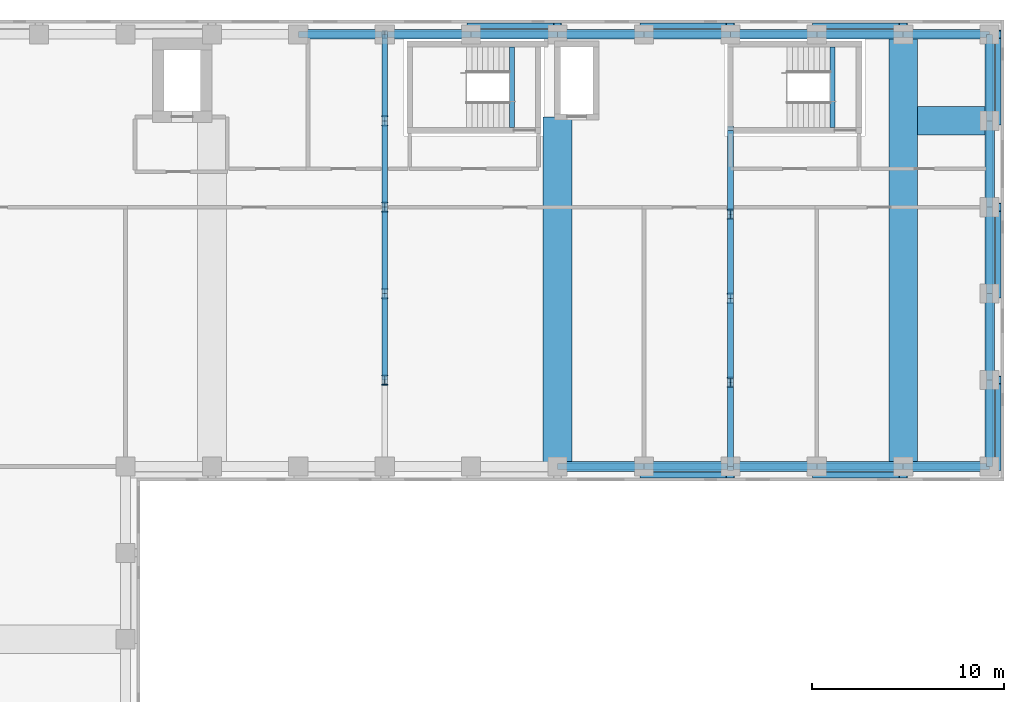
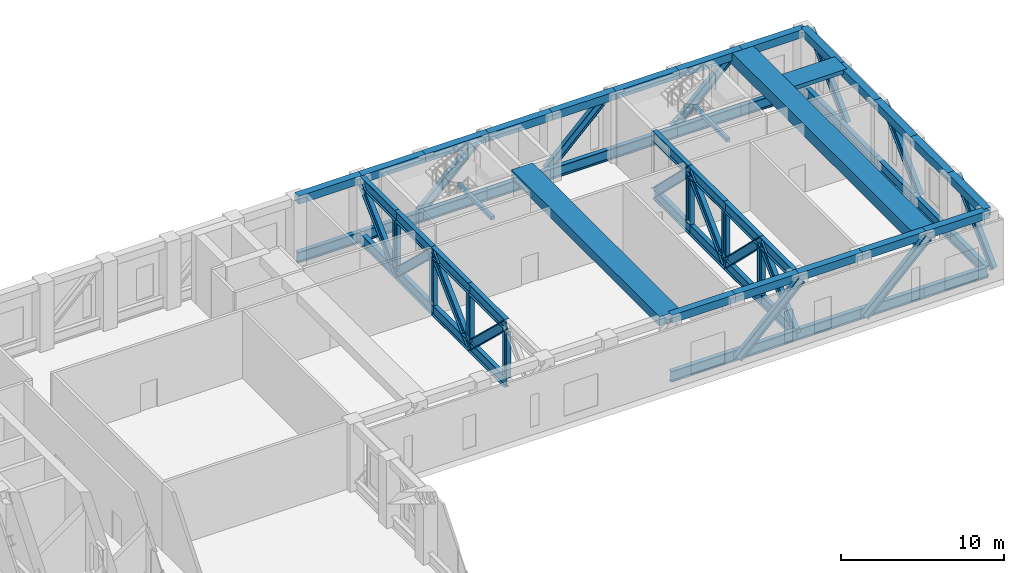
# One storey, part 3 of 14: 57 members, 23 beams.
"""IFC4 building model written with IfcOpenShell, lengths in metres."""

from ifc_helpers import new_model, si_unit, direction, frame, origin, origin_2d, place, context, subcontext, project, spatial, rectangle, i_section, extrude, material, material_profile, profile_set, type_object, element, save


model = new_model("IFC4")

# Units and contexts
model_context = context("Model", 3, precision=1e-05, world=origin(), true_north=direction((0.0, 1.0)))
body_context = subcontext(model_context, "Body", "Model", "MODEL_VIEW")
ifc_project = project(units=[si_unit("LENGTHUNIT", "METRE"), si_unit("AREAUNIT", "SQUARE_METRE"), si_unit("VOLUMEUNIT", "CUBIC_METRE"), si_unit("PLANEANGLEUNIT", "RADIAN"), si_unit("MASSUNIT", "GRAM", prefix="KILO")], contexts=[model_context])

# Site, building, storey
site_placement = place(None, origin())
site = spatial("IfcSite", under=ifc_project, at=site_placement, CompositionType="ELEMENT")
building_placement = place(site_placement, origin())
building = spatial("IfcBuilding", under=site, at=building_placement, Name="Firuza Court", CompositionType="ELEMENT")
storey_placement = place(building_placement, frame((0.0, 0.0, 173.60009765625)))
storey = spatial("IfcBuildingStorey", under=building, at=storey_placement, Name="L44", CompositionType="ELEMENT", Elevation=173.60009765625)

# Beams
ifc_material_1 = material(Name="Concrete C40/50", Category="concrete")
ifc_material_profile_1 = material_profile(ifc_material_1, rectangle(XDim=1.5, YDim=0.300048828125, at=origin_2d()), Name="RC 1500x300")
ifc_profile_set_1 = profile_set([ifc_material_profile_1], Name="Concrete C40/50")
beam_type_1 = type_object("IfcBeamType", Name="Band beam RC 1500x300 C40/50", PredefinedType="BEAM", material=ifc_profile_set_1)
beam_1_placement = place(storey_placement, frame((67.5, 54.0, 4.949951171875), z_axis=(-1.0, 0.0, 0.0), x_axis=(0.0, -1.0, 0.0)))
element("IfcBeam", 1, at=beam_1_placement, inside=storey, type_object=beam_type_1, Name="Band beam FB6 level L45", PredefinedType="BEAM", context=body_context, shape_type="SweptSolid", body=[
    extrude(rectangle(XDim=1.5, YDim=0.300048828125, at=origin_2d()), origin(), (0.0, 0.0, 1.0), 3.75),
])
ifc_material_2 = material(Name="Concrete C40/50", Category="concrete")
ifc_material_profile_2 = material_profile(ifc_material_2, rectangle(XDim=1.5, YDim=0.699951171875, at=origin_2d()), Name="RC 1500x700")
ifc_profile_set_2 = profile_set([ifc_material_profile_2], Name="Concrete C40/50")
beam_type_2 = type_object("IfcBeamType", Name="Band beam RC 1500x700 C40/50", PredefinedType="BEAM", material=ifc_profile_set_2)
beam_2_placement = place(storey_placement, frame((45.0, 36.0, 4.75), z_axis=(0.0, 1.0, 0.0), x_axis=(-1.0, 0.0, 0.0)))
element("IfcBeam", 2, at=beam_2_placement, inside=storey, type_object=beam_type_2, Name="Band beam FB1 level L45", PredefinedType="BEAM", context=body_context, shape_type="SweptSolid", body=[
    extrude(rectangle(XDim=1.5, YDim=0.699951171875, at=origin_2d()), origin(), (0.0, 0.0, 1.0), 18.199951171875),
])
ifc_material_3 = material(Name="Concrete C40/50", Category="concrete")
ifc_material_profile_3 = material_profile(ifc_material_3, rectangle(XDim=1.5, YDim=0.89990234375, at=origin_2d()), Name="RC 1500x900")
ifc_profile_set_3 = profile_set([ifc_material_profile_3], Name="Concrete C40/50")
beam_type_3 = type_object("IfcBeamType", Name="Band beam RC 1500x900 C40/50", PredefinedType="BEAM", material=ifc_profile_set_3)
beam_3_placement = place(storey_placement, frame((63.0, 36.0, 4.64990234375), z_axis=(0.0, 1.0, 0.0), x_axis=(-1.0, 0.0, 0.0)))
element("IfcBeam", 3, at=beam_3_placement, inside=storey, type_object=beam_type_3, Name="Band beam FB2 level L45", PredefinedType="BEAM", context=body_context, shape_type="SweptSolid", body=[
    extrude(rectangle(XDim=1.5, YDim=0.89990234375, at=origin_2d()), origin(), (0.0, 0.0, 1.0), 22.5),
])

# Members
ifc_material_4 = material(Name="Steel S460M", Category="steel")
ifc_material_profile_4 = material_profile(ifc_material_4, i_section(OverallWidth=0.302978515625, OverallDepth=0.81396484375, WebThickness=0.02099609375, FlangeThickness=0.0400390625, FilletRadius=0.030029296875, at=origin_2d()), Name="HE 800 M")
ifc_profile_set_4 = profile_set([ifc_material_profile_4], Name="Steel S460M")
member_type_1 = type_object("IfcMemberType", Name="Belt truss chord HE 800 M S460M", PredefinedType="CHORD", material=ifc_profile_set_4)
for number, where, z_axis, x_axis, name in (
    (4, (45.0, 36.0, 0.406982421875), (1.0, 0.0, 0.0), (0.0, 1.0, 0.0), "Belt truss chord BC1 L44"),
    (5, (49.5, 36.0, 0.406982421875), (1.0, 0.0, 0.0), (0.0, 1.0, 0.0), "Belt truss chord BC1 L44"),
    (6, (54.0, 36.0, 0.406982421875), (1.0, 0.0, 0.0), (0.0, 1.0, 0.0), "Belt truss chord BC1 L44"),
    (7, (58.5, 36.0, 0.406982421875), (1.0, 0.0, 0.0), (0.0, 1.0, 0.0), "Belt truss chord BC1 L44"),
    (8, (63.0, 36.0, 0.406982421875), (1.0, 0.0, 0.0), (0.0, 1.0, 0.0), "Belt truss chord BC1 L44"),
    (9, (67.5, 36.0, 0.406982421875), (0.0, 1.0, 0.0), (-1.0, 0.0, 0.0), "Belt truss chord BC1 L44"),
    (10, (67.5, 40.5, 0.406982421875), (0.0, 1.0, 0.0), (-1.0, 0.0, 0.0), "Belt truss chord BC1 L44"),
    (11, (67.5, 45.0, 0.406982421875), (0.0, 1.0, 0.0), (-1.0, 0.0, 0.0), "Belt truss chord BC1 L44"),
    (12, (67.5, 49.5, 0.406982421875), (0.0, 1.0, 0.0), (-1.0, 0.0, 0.0), "Belt truss chord BC1 L44"),
    (13, (67.5, 54.0, 0.406982421875), (0.0, 1.0, 0.0), (-1.0, 0.0, 0.0), "Belt truss chord BC1 L44"),
    (14, (67.5, 58.5, 0.406982421875), (-1.0, 0.0, 0.0), (0.0, -1.0, 0.0), "Belt truss chord BC1 L44"),
    (15, (63.0, 58.5, 0.406982421875), (-1.0, 0.0, 0.0), (0.0, -1.0, 0.0), "Belt truss chord BC1 L44"),
    (16, (58.5, 58.5, 0.406982421875), (-1.0, 0.0, 0.0), (0.0, -1.0, 0.0), "Belt truss chord BC1 L44"),
    (17, (54.0, 58.5, 0.406982421875), (-1.0, 0.0, 0.0), (0.0, -1.0, 0.0), "Belt truss chord BC1 L44"),
    (18, (49.5, 58.5, 0.406982421875), (-1.0, 0.0, 0.0), (0.0, -1.0, 0.0), "Belt truss chord BC1 L44"),
    (19, (45.0, 58.5, 0.406982421875), (-1.0, 0.0, 0.0), (0.0, -1.0, 0.0), "Belt truss chord BC1 L44"),
    (20, (40.5, 58.5, 0.406982421875), (-1.0, 0.0, 0.0), (0.0, -1.0, 0.0), "Belt truss chord BC1 L44"),
    (21, (36.0, 58.5, 0.406982421875), (-1.0, 0.0, 0.0), (0.0, -1.0, 0.0), "Belt truss chord BC1 L44"),
    (22, (36.0, 40.5, 0.406982421875), (0.0, 1.0, 0.0), (-1.0, 0.0, 0.0), "Belt truss chord BC1 L44"),
    (23, (36.0, 40.5, 4.69287109375), (0.0, 1.0, 0.0), (-1.0, 0.0, 0.0), "Belt truss chord BC1 L44"),
    (24, (36.0, 45.0, 0.406982421875), (0.0, 1.0, 0.0), (-1.0, 0.0, 0.0), "Belt truss chord BC1 L44"),
    (25, (36.0, 45.0, 4.69287109375), (0.0, 1.0, 0.0), (-1.0, 0.0, 0.0), "Belt truss chord BC1 L44"),
    (26, (36.0, 49.5, 0.406982421875), (0.0, 1.0, 0.0), (-1.0, 0.0, 0.0), "Belt truss chord BC1 L44"),
    (27, (36.0, 49.5, 4.69287109375), (0.0, 1.0, 0.0), (-1.0, 0.0, 0.0), "Belt truss chord BC1 L44"),
    (28, (36.0, 54.0, 0.406982421875), (0.0, 1.0, 0.0), (-1.0, 0.0, 0.0), "Belt truss chord BC1 L44"),
    (29, (36.0, 54.0, 4.69287109375), (0.0, 1.0, 0.0), (-1.0, 0.0, 0.0), "Belt truss chord BC1 L44"),
):
    element("IfcMember", number, at=place(storey_placement, frame(where, z_axis=z_axis, x_axis=x_axis)), inside=storey, type_object=member_type_1, Name=name, PredefinedType="CHORD", context=body_context, shape_type="SweptSolid", body=[
        extrude(i_section(OverallWidth=0.302978515625, OverallDepth=0.81396484375, WebThickness=0.02099609375, FlangeThickness=0.0400390625, FilletRadius=0.030029296875, at=origin_2d()), origin(), (0.0, 0.0, 1.0), 4.5),
    ])
for number, where, z_axis, x_axis, name in (
    (30, (54.0, 36.0, 0.406982421875), (0.0, 1.0, 0.0), (-1.0, 0.0, 0.0), "Belt truss chord BC1 L44"),
    (31, (54.0, 36.0, 4.69287109375), (0.0, 1.0, 0.0), (-1.0, 0.0, 0.0), "Belt truss chord BC1 L44"),
    (32, (54.0, 40.375, 0.406982421875), (0.0, 1.0, 0.0), (-1.0, 0.0, 0.0), "Belt truss chord BC1 L44"),
    (33, (54.0, 40.375, 4.69287109375), (0.0, 1.0, 0.0), (-1.0, 0.0, 0.0), "Belt truss chord BC1 L44"),
    (34, (54.0, 44.75, 0.406982421875), (0.0, 1.0, 0.0), (-1.0, 0.0, 0.0), "Belt truss chord BC1 L44"),
    (35, (54.0, 44.75, 4.69287109375), (0.0, 1.0, 0.0), (-1.0, 0.0, 0.0), "Belt truss chord BC1 L44"),
    (36, (54.0, 49.125, 0.406982421875), (0.0, 1.0, 0.0), (-1.0, 0.0, 0.0), "Belt truss chord BC1 L44"),
    (37, (54.0, 49.125, 4.69287109375), (0.0, 1.0, 0.0), (-1.0, 0.0, 0.0), "Belt truss chord BC1 L44"),
):
    element("IfcMember", number, at=place(storey_placement, frame(where, z_axis=z_axis, x_axis=x_axis)), inside=storey, type_object=member_type_1, Name=name, PredefinedType="CHORD", context=body_context, shape_type="SweptSolid", body=[
        extrude(i_section(OverallWidth=0.302978515625, OverallDepth=0.81396484375, WebThickness=0.02099609375, FlangeThickness=0.0400390625, FilletRadius=0.030029296875, at=origin_2d()), origin(), (0.0, 0.0, 1.0), 4.375),
    ])
ifc_material_5 = material(Name="Steel S460M", Category="steel")
ifc_material_profile_5 = material_profile(ifc_material_5, i_section(OverallWidth=0.304931640625, OverallDepth=0.6201171875, WebThickness=0.02099609375, FlangeThickness=0.0400390625, FilletRadius=0.027099609375, at=origin_2d()), Name="HE 600 M")
ifc_profile_set_5 = profile_set([ifc_material_profile_5], Name="Steel S460M")
member_type_2 = type_object("IfcMemberType", Name="Belt truss diagonal HE 600 M S460M", PredefinedType="BRACE", material=ifc_profile_set_5)
for number, where, z_axis, x_axis, name in (
    (38, (49.5, 35.550048828125, 0.406982421875), (0.715576978108, 0.0, 0.698533884934), (0.0, 1.0, 0.0), "Belt truss diagonal BD1 L44"),
    (39, (58.5, 35.550048828125, 0.406982421875), (0.715576978108, 0.0, 0.698533884934), (0.0, 1.0, 0.0), "Belt truss diagonal BD1 L44"),
    (40, (67.949951171875, 36.0, 0.406982421875), (0.0, 0.715576978108, 0.698533884934), (-1.0, 0.0, 0.0), "Belt truss diagonal BD1 L44"),
    (41, (67.949951171875, 45.0, 0.406982421875), (0.0, 0.715576978108, 0.698533884934), (-1.0, 0.0, 0.0), "Belt truss diagonal BD1 L44"),
    (42, (67.949951171875, 54.0, 0.406982421875), (0.0, 0.715576978108, 0.698533884934), (-1.0, 0.0, 0.0), "Belt truss diagonal BD1 L44"),
    (43, (58.5, 58.949951171875, 0.406982421875), (0.715576978108, 0.0, 0.698533884934), (0.0, 1.0, 0.0), "Belt truss diagonal BD1 L44"),
    (44, (49.5, 58.949951171875, 0.406982421875), (0.715576978108, 0.0, 0.698533884934), (0.0, 1.0, 0.0), "Belt truss diagonal BD1 L44"),
    (45, (40.5, 58.949951171875, 0.406982421875), (0.715576978108, 0.0, 0.698533884934), (0.0, 1.0, 0.0), "Belt truss diagonal BD1 L44"),
):
    element("IfcMember", number, at=place(storey_placement, frame(where, z_axis=z_axis, x_axis=x_axis)), inside=storey, type_object=member_type_2, Name=name, PredefinedType="BRACE", context=body_context, shape_type="SweptSolid", body=[
        extrude(i_section(OverallWidth=0.304931640625, OverallDepth=0.6201171875, WebThickness=0.02099609375, FlangeThickness=0.0400390625, FilletRadius=0.027099609375, at=origin_2d()), origin(), (0.0, 0.0, 1.0), 6.28857421875),
    ])
for number, where, z_axis, x_axis, name in (
    (46, (36.0, 45.0, 0.406982421875), (0.0, -0.72412391677, 0.689669887093), (1.0, 0.0, 0.0), "Belt truss diagonal BD1 L44"),
    (47, (36.0, 45.0, 0.406982421875), (0.0, 0.72412391677, 0.689669887093), (-1.0, 0.0, 0.0), "Belt truss diagonal BD1 L44"),
    (48, (36.0, 54.0, 0.406982421875), (0.0, -0.72412391677, 0.689669887093), (1.0, 0.0, 0.0), "Belt truss diagonal BD1 L44"),
    (49, (36.0, 54.0, 0.406982421875), (0.0, 0.72412391677, 0.689669887093), (-1.0, 0.0, 0.0), "Belt truss diagonal BD1 L44"),
):
    element("IfcMember", number, at=place(storey_placement, frame(where, z_axis=z_axis, x_axis=x_axis)), inside=storey, type_object=member_type_2, Name=name, PredefinedType="BRACE", context=body_context, shape_type="SweptSolid", body=[
        extrude(i_section(OverallWidth=0.304931640625, OverallDepth=0.6201171875, WebThickness=0.02099609375, FlangeThickness=0.0400390625, FilletRadius=0.027099609375, at=origin_2d()), origin(), (0.0, 0.0, 1.0), 6.21435546875),
    ])
for number, where, z_axis, x_axis, name in (
    (50, (54.0, 36.0, 0.406982421875), (0.0, 0.71434434748, 0.699794364956), (-1.0, 0.0, 0.0), "Belt truss diagonal BD1 L44"),
    (51, (54.0, 44.75, 0.406982421875), (0.0, -0.71434434748, 0.699794364956), (1.0, 0.0, 0.0), "Belt truss diagonal BD1 L44"),
    (52, (54.0, 44.75, 0.406982421875), (0.0, 0.71434434748, 0.699794364956), (-1.0, 0.0, 0.0), "Belt truss diagonal BD1 L44"),
    (53, (54.0, 53.5, 0.406982421875), (0.0, -0.71434434748, 0.699794364956), (1.0, 0.0, 0.0), "Belt truss diagonal BD1 L44"),
):
    element("IfcMember", number, at=place(storey_placement, frame(where, z_axis=z_axis, x_axis=x_axis)), inside=storey, type_object=member_type_2, Name=name, PredefinedType="BRACE", context=body_context, shape_type="SweptSolid", body=[
        extrude(i_section(OverallWidth=0.304931640625, OverallDepth=0.6201171875, WebThickness=0.02099609375, FlangeThickness=0.0400390625, FilletRadius=0.027099609375, at=origin_2d()), origin(), (0.0, 0.0, 1.0), 6.12451171875),
    ])
ifc_material_6 = material(Name="Steel S460M", Category="steel")
ifc_material_profile_6 = material_profile(ifc_material_6, i_section(OverallWidth=0.305908203125, OverallDepth=0.52392578125, WebThickness=0.02099609375, FlangeThickness=0.0400390625, FilletRadius=0.027099609375, at=origin_2d()), Name="HE 500 M")
ifc_profile_set_6 = profile_set([ifc_material_profile_6], Name="Steel S460M")
member_type_3 = type_object("IfcMemberType", Name="Belt truss post HE 500 M S460M", PredefinedType="POST", material=ifc_profile_set_6)
for number, where, z_axis, x_axis, name in (
    (54, (36.0, 40.5, 0.81396484375), (0.0, 0.0, 1.0), (1.0, 0.0, 0.0), "Belt truss post BP1 L44"),
    (55, (36.0, 45.0, 0.81396484375), (0.0, 0.0, 1.0), (1.0, 0.0, 0.0), "Belt truss post BP1 L44"),
    (56, (36.0, 49.5, 0.81396484375), (0.0, 0.0, 1.0), (1.0, 0.0, 0.0), "Belt truss post BP1 L44"),
    (57, (36.0, 54.0, 0.81396484375), (0.0, 0.0, 1.0), (1.0, 0.0, 0.0), "Belt truss post BP1 L44"),
    (58, (54.0, 40.375, 0.81396484375), (0.0, 0.0, 1.0), (1.0, 0.0, 0.0), "Belt truss post BP1 L44"),
    (59, (54.0, 44.75, 0.81396484375), (0.0, 0.0, 1.0), (1.0, 0.0, 0.0), "Belt truss post BP1 L44"),
    (60, (54.0, 49.125, 0.81396484375), (0.0, 0.0, 1.0), (1.0, 0.0, 0.0), "Belt truss post BP1 L44"),
):
    element("IfcMember", number, at=place(storey_placement, frame(where, z_axis=z_axis, x_axis=x_axis)), inside=storey, type_object=member_type_3, Name=name, PredefinedType="POST", context=body_context, shape_type="SweptSolid", body=[
        extrude(i_section(OverallWidth=0.305908203125, OverallDepth=0.52392578125, WebThickness=0.02099609375, FlangeThickness=0.0400390625, FilletRadius=0.027099609375, at=origin_2d()), origin(), (0.0, 0.0, 1.0), 3.471923828125),
    ])

# Beams
ifc_material_7 = material(Name="Concrete C40/50", Category="concrete")
ifc_material_profile_7 = material_profile(ifc_material_7, rectangle(XDim=0.25, YDim=0.25, at=origin_2d()), Name="RC 250x250")
ifc_profile_set_7 = profile_set([ifc_material_profile_7], Name="Concrete C40/50")
beam_type_4 = type_object("IfcBeamType", Name="Landing beam RC 250x250 C40/50", PredefinedType="BEAM", material=ifc_profile_set_7)
for number, where, z_axis, x_axis, name in (
    (61, (42.625, 53.64990234375, 2.375), (0.0, 1.0, 0.0), (-1.0, 0.0, 0.0), "Landing beam S1 L44"),
    (62, (59.324951171875, 53.64990234375, 2.375), (0.0, 1.0, 0.0), (-1.0, 0.0, 0.0), "Landing beam S4 L44"),
):
    element("IfcBeam", number, at=place(storey_placement, frame(where, z_axis=z_axis, x_axis=x_axis)), inside=storey, type_object=beam_type_4, Name=name, PredefinedType="BEAM", context=body_context, shape_type="SweptSolid", body=[
        extrude(rectangle(XDim=0.25, YDim=0.25, at=origin_2d()), origin(), (0.0, 0.0, 1.0), 4.2001953125),
    ])
ifc_material_8 = material(Name="Concrete C40/50", Category="concrete")
ifc_material_profile_8 = material_profile(ifc_material_8, rectangle(XDim=0.5, YDim=0.60009765625, at=origin_2d()), Name="RC 500x600")
ifc_profile_set_8 = profile_set([ifc_material_profile_8], Name="Concrete C40/50")
beam_type_5 = type_object("IfcBeamType", Name="Spandrel beam RC 500x600 C40/50", PredefinedType="BEAM", material=ifc_profile_set_8)
for number, where, z_axis, x_axis, name in (
    (63, (36.0, 58.5, 4.7998046875), (-1.0, 0.0, 0.0), (0.0, -1.0, 0.0), "Spandrel beam SP13 level L45"),
    (64, (40.5, 58.5, 4.7998046875), (-1.0, 0.0, 0.0), (0.0, -1.0, 0.0), "Spandrel beam SP13 level L45"),
    (65, (45.0, 36.0, 4.7998046875), (1.0, 0.0, 0.0), (0.0, 1.0, 0.0), "Spandrel beam SP13 level L45"),
    (66, (45.0, 58.5, 4.7998046875), (-1.0, 0.0, 0.0), (0.0, -1.0, 0.0), "Spandrel beam SP13 level L45"),
    (67, (49.5, 36.0, 4.7998046875), (1.0, 0.0, 0.0), (0.0, 1.0, 0.0), "Spandrel beam SP13 level L45"),
    (68, (49.5, 58.5, 4.7998046875), (-1.0, 0.0, 0.0), (0.0, -1.0, 0.0), "Spandrel beam SP13 level L45"),
    (69, (54.0, 36.0, 4.7998046875), (1.0, 0.0, 0.0), (0.0, 1.0, 0.0), "Spandrel beam SP13 level L45"),
    (70, (54.0, 58.5, 4.7998046875), (-1.0, 0.0, 0.0), (0.0, -1.0, 0.0), "Spandrel beam SP13 level L45"),
    (71, (58.5, 36.0, 4.7998046875), (1.0, 0.0, 0.0), (0.0, 1.0, 0.0), "Spandrel beam SP13 level L45"),
    (72, (58.5, 58.5, 4.7998046875), (-1.0, 0.0, 0.0), (0.0, -1.0, 0.0), "Spandrel beam SP13 level L45"),
    (73, (63.0, 36.0, 4.7998046875), (1.0, 0.0, 0.0), (0.0, 1.0, 0.0), "Spandrel beam SP13 level L45"),
    (74, (63.0, 58.5, 4.7998046875), (-1.0, 0.0, 0.0), (0.0, -1.0, 0.0), "Spandrel beam SP13 level L45"),
    (75, (67.5, 36.0, 4.7998046875), (0.0, 1.0, 0.0), (-1.0, 0.0, 0.0), "Spandrel beam SP13 level L45"),
    (76, (67.5, 40.5, 4.7998046875), (0.0, 1.0, 0.0), (-1.0, 0.0, 0.0), "Spandrel beam SP13 level L45"),
    (77, (67.5, 45.0, 4.7998046875), (0.0, 1.0, 0.0), (-1.0, 0.0, 0.0), "Spandrel beam SP13 level L45"),
    (78, (67.5, 49.5, 4.7998046875), (0.0, 1.0, 0.0), (-1.0, 0.0, 0.0), "Spandrel beam SP13 level L45"),
    (79, (67.5, 54.0, 4.7998046875), (0.0, 1.0, 0.0), (-1.0, 0.0, 0.0), "Spandrel beam SP13 level L45"),
    (80, (67.5, 58.5, 4.7998046875), (-1.0, 0.0, 0.0), (0.0, -1.0, 0.0), "Spandrel beam SP13 level L45"),
):
    element("IfcBeam", number, at=place(storey_placement, frame(where, z_axis=z_axis, x_axis=x_axis)), inside=storey, type_object=beam_type_5, Name=name, PredefinedType="BEAM", context=body_context, shape_type="SweptSolid", body=[
        extrude(rectangle(XDim=0.5, YDim=0.60009765625, at=origin_2d()), origin(), (0.0, 0.0, 1.0), 4.5),
    ])

save(model, "model.ifc")
